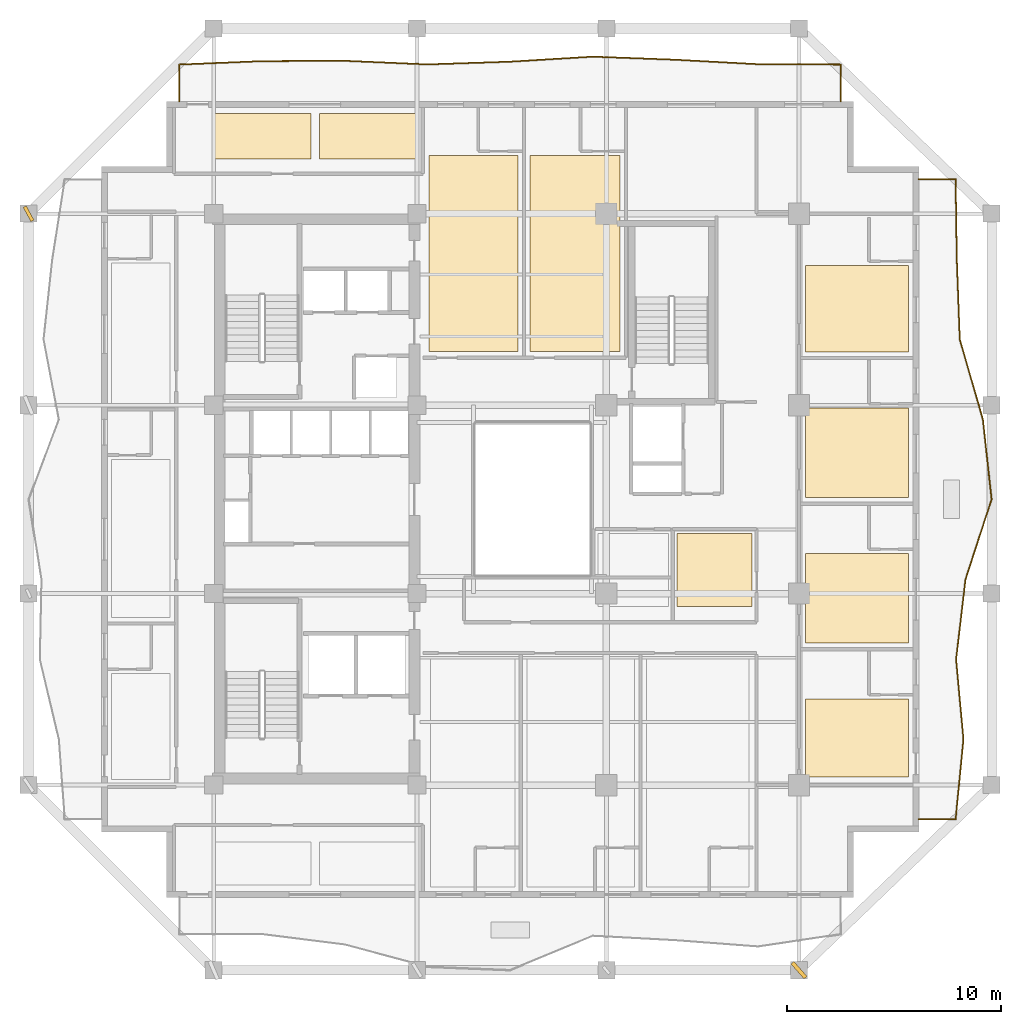
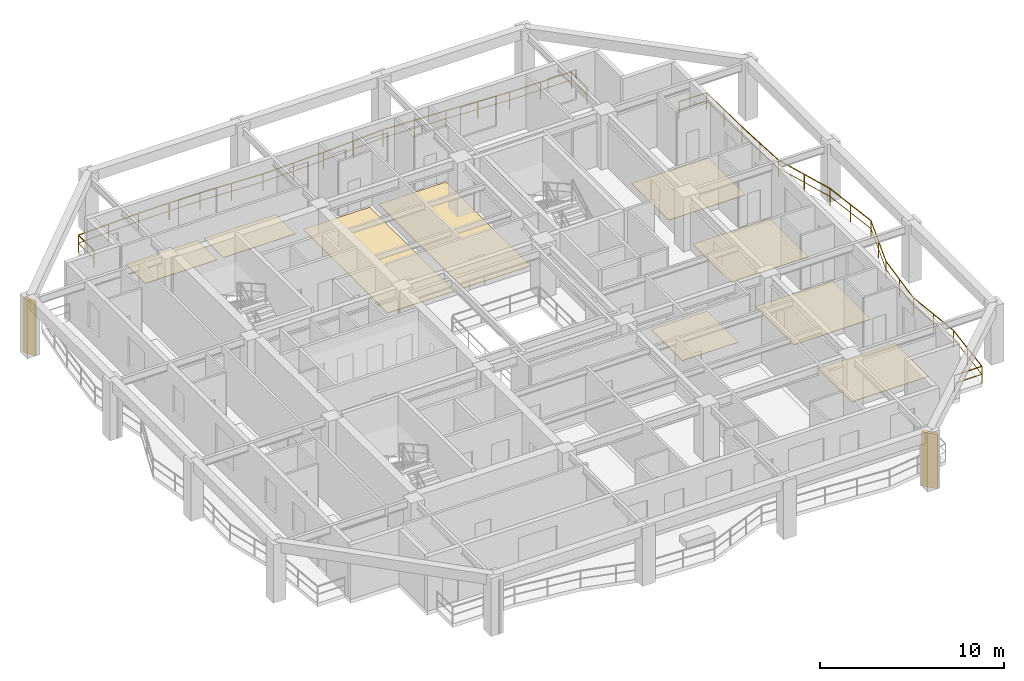
# One storey, part 10 of 11: 9 coverings, 2 railings, 2 shading devices.
"""IFC4 building model written with IfcOpenShell, lengths in metres."""

from ifc_helpers import new_model, si_unit, direction, frame, origin, origin_2d, place, context, subcontext, project, spatial, polyline, rectangle, outline, extrude, material, layer, layer_set, type_object, element, save


model = new_model("IFC4")

# Units and contexts
model_context = context("Model", 3, precision=1e-05, world=origin(), true_north=direction((0.0, 1.0)))
body_context = subcontext(model_context, "Body", "Model", "MODEL_VIEW")
ifc_project = project(units=[si_unit("LENGTHUNIT", "METRE"), si_unit("AREAUNIT", "SQUARE_METRE"), si_unit("VOLUMEUNIT", "CUBIC_METRE"), si_unit("PLANEANGLEUNIT", "RADIAN"), si_unit("MASSUNIT", "GRAM", prefix="KILO")], contexts=[model_context])

# Site, building, storey
site_placement = place(None, origin())
site = spatial("IfcSite", under=ifc_project, at=site_placement, CompositionType="ELEMENT")
building_placement = place(site_placement, origin())
building = spatial("IfcBuilding", under=site, at=building_placement, Name="Kundavana Baori Tower", CompositionType="ELEMENT")
storey_placement = place(building_placement, frame((0.0, 0.0, 127.10009765625)))
storey = spatial("IfcBuildingStorey", under=building, at=storey_placement, Name="L30", CompositionType="ELEMENT", Elevation=127.10009765625)

# Coverings
ifc_material_1 = material(Name="Honed Kota Stone and Terrazzo Flooring", Category="masonry")
ifc_layer = layer(ifc_material_1, 0.030029296875, Name="COV-INT-FLR")
ifc_layer_set = layer_set([ifc_layer], Name="Honed Kota Stone and Terrazzo Flooring")
covering_type = type_object("IfcCoveringType", Name="COV-INT-FLR", PredefinedType="FLOORING", material=ifc_layer_set)
covering_1_placement = place(storey_placement, origin())
element("IfcCovering", 1, at=covering_1_placement, inside=storey, type_object=covering_type, Name="L30 Room Finished Stone Flooring 7", PredefinedType="FLOORING", context=body_context, shape_type="SweptSolid", body=[
    extrude(outline(polyline([(43.10009765625, 15.6298828125), (47.919921875, 15.6298828125), (47.919921875, 19.27001953125), (43.10009765625, 19.27001953125), (43.10009765625, 15.6298828125)])), origin(), (0.0, 0.0, 1.0), 0.02978515625),
])
covering_2_placement = place(storey_placement, origin())
element("IfcCovering", 2, at=covering_2_placement, inside=storey, type_object=covering_type, Name="L30 Room Finished Stone Flooring 8", PredefinedType="FLOORING", context=body_context, shape_type="SweptSolid", body=[
    extrude(outline(polyline([(43.10009765625, 21.8798828125), (47.919921875, 21.8798828125), (47.919921875, 26.070068359375), (43.10009765625, 26.070068359375), (43.10009765625, 21.8798828125)])), origin(), (0.0, 0.0, 1.0), 0.02978515625),
])
covering_3_placement = place(storey_placement, origin())
element("IfcCovering", 3, at=covering_3_placement, inside=storey, type_object=covering_type, Name="L30 Room Finished Stone Flooring 9", PredefinedType="FLOORING", context=body_context, shape_type="SweptSolid", body=[
    extrude(outline(polyline([(43.10009765625, 28.679931640625), (47.919921875, 28.679931640625), (47.919921875, 32.8701171875), (43.10009765625, 32.8701171875), (43.10009765625, 28.679931640625)])), origin(), (0.0, 0.0, 1.0), 0.02978515625),
])
covering_4_placement = place(storey_placement, origin())
element("IfcCovering", 4, at=covering_4_placement, inside=storey, type_object=covering_type, Name="L30 Room Finished Stone Flooring 10", PredefinedType="FLOORING", context=body_context, shape_type="SweptSolid", body=[
    extrude(outline(polyline([(43.10009765625, 35.47998046875), (47.919921875, 35.47998046875), (47.919921875, 39.52001953125), (43.10009765625, 39.52001953125), (43.10009765625, 35.47998046875)])), origin(), (0.0, 0.0, 1.0), 0.02978515625),
])
covering_5_placement = place(storey_placement, origin())
element("IfcCovering", 5, at=covering_5_placement, inside=storey, type_object=covering_type, Name="L30 Room Finished Stone Flooring 11", PredefinedType="FLOORING", context=body_context, shape_type="SweptSolid", body=[
    extrude(outline(polyline([(25.5, 35.5), (29.669921875, 35.5), (29.669921875, 44.669921875), (25.5, 44.669921875), (25.5, 35.5)])), origin(), (0.0, 0.0, 1.0), 0.02978515625),
])
covering_6_placement = place(storey_placement, origin())
element("IfcCovering", 6, at=covering_6_placement, inside=storey, type_object=covering_type, Name="L30 Room Finished Stone Flooring 12", PredefinedType="FLOORING", context=body_context, shape_type="SweptSolid", body=[
    extrude(outline(polyline([(30.22998046875, 35.5), (34.43994140625, 35.5), (34.43994140625, 44.669921875), (30.22998046875, 44.669921875), (30.22998046875, 35.5)])), origin(), (0.0, 0.0, 1.0), 0.02978515625),
])
covering_7_placement = place(storey_placement, origin())
element("IfcCovering", 7, at=covering_7_placement, inside=storey, type_object=covering_type, Name="L30 Room Finished Stone Flooring 15", PredefinedType="FLOORING", context=body_context, shape_type="SweptSolid", body=[
    extrude(outline(polyline([(15.5, 44.5), (20.0, 44.5), (20.0, 46.6201171875), (15.5, 46.6201171875), (15.5, 44.5)])), origin(), (0.0, 0.0, 1.0), 0.02978515625),
])
covering_8_placement = place(storey_placement, origin())
element("IfcCovering", 8, at=covering_8_placement, inside=storey, type_object=covering_type, Name="L30 Room Finished Stone Flooring 16", PredefinedType="FLOORING", context=body_context, shape_type="SweptSolid", body=[
    extrude(outline(polyline([(20.39990234375, 44.5), (24.89990234375, 44.5), (24.89990234375, 46.6201171875), (20.39990234375, 46.6201171875), (20.39990234375, 44.5)])), origin(), (0.0, 0.0, 1.0), 0.02978515625),
])
covering_9_placement = place(storey_placement, origin())
element("IfcCovering", 9, at=covering_9_placement, inside=storey, type_object=covering_type, Name="L30 Room Finished Stone Flooring 18", PredefinedType="FLOORING", context=body_context, shape_type="SweptSolid", body=[
    extrude(outline(polyline([(37.10009765625, 23.60009765625), (40.60009765625, 23.60009765625), (40.60009765625, 27.0), (37.10009765625, 27.0), (37.10009765625, 23.60009765625)])), origin(), (0.0, 0.0, 1.0), 0.02978515625),
])

# Railings
ifc_material_2 = material(Name="Architectural Patinated Bronze Metalwork")
railing_type = type_object("IfcRailingType", Name="RL-BAL-1150", PredefinedType="BALUSTRADE", material=ifc_material_2)
railing_1_placement = place(storey_placement, frame((48.39990234375, 43.550048828125, 0.0)))
element("IfcRailing", 10, at=railing_1_placement, inside=storey, type_object=railing_type, Name="L30 Loggia Balcony Balustrade E", PredefinedType="BALUSTRADE", context=body_context, shape_type="SweptSolid", body=[
    extrude(rectangle(XDim=0.048095703125, YDim=0.048095703125, at=origin_2d()), frame((0.0, 0.0, 1.1259765625), z_axis=(1.0, 0.0, 0.0), x_axis=(0.0, 1.0, 0.0)), (0.0, 0.0, 1.0), 1.72021484375),
    extrude(rectangle(XDim=0.03125, YDim=0.03125, at=origin_2d()), frame((0.0, 0.0, 0.597900390625), z_axis=(1.0, 0.0, 0.0), x_axis=(0.0, 1.0, 0.0)), (0.0, 0.0, 1.0), 1.72021484375),
    extrude(rectangle(XDim=0.048095703125, YDim=0.048095703125, at=origin_2d()), frame((1.72021484375, 0.0, 1.1259765625), z_axis=(0.014954894571, -0.999888169311, 0.0), x_axis=(0.999888169311, 0.014954894571, 0.0)), (0.0, 0.0, 1.0), 3.738525390625),
    extrude(rectangle(XDim=0.03125, YDim=0.03125, at=origin_2d()), frame((1.72021484375, 0.0, 0.597900390625), z_axis=(0.014954894571, -0.999888169311, 0.0), x_axis=(0.999888169311, 0.014954894571, 0.0)), (0.0, 0.0, 1.0), 3.738525390625),
    extrude(rectangle(XDim=0.048095703125, YDim=0.048095703125, at=origin_2d()), frame((1.776123046875, -3.738037109375, 1.1259765625), z_axis=(0.03714687957, -0.999309816492, 0.0), x_axis=(0.999309816492, 0.03714687957, 0.0)), (0.0, 0.0, 1.0), 3.73974609375),
    extrude(rectangle(XDim=0.03125, YDim=0.03125, at=origin_2d()), frame((1.776123046875, -3.738037109375, 0.597900390625), z_axis=(0.03714687957, -0.999309816492, 0.0), x_axis=(0.999309816492, 0.03714687957, 0.0)), (0.0, 0.0, 1.0), 3.73974609375),
    extrude(rectangle(XDim=0.048095703125, YDim=0.048095703125, at=origin_2d()), frame((1.9150390625, -7.47509765625, 1.1259765625), z_axis=(0.277123885402, -0.960834195967, 0.0), x_axis=(0.960834195967, 0.277123885402, 0.0)), (0.0, 0.0, 1.0), 3.890380859375),
    extrude(rectangle(XDim=0.03125, YDim=0.03125, at=origin_2d()), frame((1.9150390625, -7.47509765625, 0.597900390625), z_axis=(0.277123885402, -0.960834195967, 0.0), x_axis=(0.960834195967, 0.277123885402, 0.0)), (0.0, 0.0, 1.0), 3.890380859375),
    extrude(rectangle(XDim=0.048095703125, YDim=0.048095703125, at=origin_2d()), frame((2.9931640625, -11.213134765625, 1.1259765625), z_axis=(0.108271288951, -0.994121384937, 0.0), x_axis=(0.994121384937, 0.108271288951, 0.0)), (0.0, 0.0, 1.0), 3.759033203125),
    extrude(rectangle(XDim=0.03125, YDim=0.03125, at=origin_2d()), frame((2.9931640625, -11.213134765625, 0.597900390625), z_axis=(0.108271288951, -0.994121384937, 0.0), x_axis=(0.994121384937, 0.108271288951, 0.0)), (0.0, 0.0, 1.0), 3.759033203125),
    extrude(rectangle(XDim=0.048095703125, YDim=0.048095703125, at=origin_2d()), frame((3.400146484375, -14.949951171875, 1.1259765625), z_axis=(-0.309811933343, -0.950797857569, 0.0), x_axis=(0.950797857569, -0.309811933343, 0.0)), (0.0, 0.0, 1.0), 3.931396484375),
    extrude(rectangle(XDim=0.03125, YDim=0.03125, at=origin_2d()), frame((3.400146484375, -14.949951171875, 0.597900390625), z_axis=(-0.309811933343, -0.950797857569, 0.0), x_axis=(0.950797857569, -0.309811933343, 0.0)), (0.0, 0.0, 1.0), 3.931396484375),
    extrude(rectangle(XDim=0.048095703125, YDim=0.048095703125, at=origin_2d()), frame((2.18212890625, -18.68798828125, 1.1259765625), z_axis=(-0.116660546173, -0.993171846644, 0.0), x_axis=(0.993171846644, -0.116660546173, 0.0)), (0.0, 0.0, 1.0), 3.7626953125),
    extrude(rectangle(XDim=0.03125, YDim=0.03125, at=origin_2d()), frame((2.18212890625, -18.68798828125, 0.597900390625), z_axis=(-0.116660546173, -0.993171846644, 0.0), x_axis=(0.993171846644, -0.116660546173, 0.0)), (0.0, 0.0, 1.0), 3.7626953125),
    extrude(rectangle(XDim=0.048095703125, YDim=0.048095703125, at=origin_2d()), frame((1.7431640625, -22.425048828125, 1.1259765625), z_axis=(0.091380157634, -0.995816080805, 0.0), x_axis=(0.995816080805, 0.091380157634, 0.0)), (0.0, 0.0, 1.0), 3.753662109375),
    extrude(rectangle(XDim=0.03125, YDim=0.03125, at=origin_2d()), frame((1.7431640625, -22.425048828125, 0.597900390625), z_axis=(0.091380157634, -0.995816080805, 0.0), x_axis=(0.995816080805, 0.091380157634, 0.0)), (0.0, 0.0, 1.0), 3.753662109375),
    extrude(rectangle(XDim=0.048095703125, YDim=0.048095703125, at=origin_2d()), frame((2.086181640625, -26.1630859375, 1.1259765625), z_axis=(-0.097462828087, -0.995239165799, 0.0), x_axis=(0.995239165799, -0.097462828087, 0.0)), (0.0, 0.0, 1.0), 3.7548828125),
    extrude(rectangle(XDim=0.03125, YDim=0.03125, at=origin_2d()), frame((2.086181640625, -26.1630859375, 0.597900390625), z_axis=(-0.097462828087, -0.995239165799, 0.0), x_axis=(0.995239165799, -0.097462828087, 0.0)), (0.0, 0.0, 1.0), 3.7548828125),
    extrude(rectangle(XDim=0.048095703125, YDim=0.048095703125, at=origin_2d()), frame((1.72021484375, -29.900146484375, 1.1259765625), z_axis=(-1.0, 0.0, 0.0), x_axis=(0.0, -1.0, 0.0)), (0.0, 0.0, 1.0), 1.72021484375),
    extrude(rectangle(XDim=0.03125, YDim=0.03125, at=origin_2d()), frame((1.72021484375, -29.900146484375, 0.597900390625), z_axis=(-1.0, 0.0, 0.0), x_axis=(0.0, -1.0, 0.0)), (0.0, 0.0, 1.0), 1.72021484375),
    extrude(rectangle(XDim=0.0419921875, YDim=0.0419921875, at=origin_2d()), origin(), (0.0, 0.0, 1.0), 1.101806640625),
    extrude(rectangle(XDim=0.0419921875, YDim=0.0419921875, at=origin_2d()), frame((1.72021484375, 0.0, 0.0)), (0.0, 0.0, 1.0), 1.101806640625),
    extrude(rectangle(XDim=0.0419921875, YDim=0.0419921875, at=origin_2d()), frame((1.748046875, -1.869140625, 0.0)), (0.0, 0.0, 1.0), 1.101806640625),
    extrude(rectangle(XDim=0.0419921875, YDim=0.0419921875, at=origin_2d()), frame((1.776123046875, -3.738037109375, 0.0)), (0.0, 0.0, 1.0), 1.101806640625),
    extrude(rectangle(XDim=0.0419921875, YDim=0.0419921875, at=origin_2d()), frame((1.845703125, -5.6064453125, 0.0)), (0.0, 0.0, 1.0), 1.101806640625),
    extrude(rectangle(XDim=0.0419921875, YDim=0.0419921875, at=origin_2d()), frame((1.9150390625, -7.47509765625, 0.0)), (0.0, 0.0, 1.0), 1.101806640625),
    extrude(rectangle(XDim=0.0419921875, YDim=0.0419921875, at=origin_2d()), frame((2.4541015625, -9.34423828125, 0.0)), (0.0, 0.0, 1.0), 1.101806640625),
    extrude(rectangle(XDim=0.0419921875, YDim=0.0419921875, at=origin_2d()), frame((2.9931640625, -11.213134765625, 0.0)), (0.0, 0.0, 1.0), 1.101806640625),
    extrude(rectangle(XDim=0.0419921875, YDim=0.0419921875, at=origin_2d()), frame((3.19677734375, -13.08154296875, 0.0)), (0.0, 0.0, 1.0), 1.101806640625),
    extrude(rectangle(XDim=0.0419921875, YDim=0.0419921875, at=origin_2d()), frame((3.400146484375, -14.949951171875, 0.0)), (0.0, 0.0, 1.0), 1.101806640625),
    extrude(rectangle(XDim=0.0419921875, YDim=0.0419921875, at=origin_2d()), frame((2.791015625, -16.81884765625, 0.0)), (0.0, 0.0, 1.0), 1.101806640625),
    extrude(rectangle(XDim=0.0419921875, YDim=0.0419921875, at=origin_2d()), frame((2.18212890625, -18.68798828125, 0.0)), (0.0, 0.0, 1.0), 1.101806640625),
    extrude(rectangle(XDim=0.0419921875, YDim=0.0419921875, at=origin_2d()), frame((1.962646484375, -20.556640625, 0.0)), (0.0, 0.0, 1.0), 1.101806640625),
    extrude(rectangle(XDim=0.0419921875, YDim=0.0419921875, at=origin_2d()), frame((1.7431640625, -22.425048828125, 0.0)), (0.0, 0.0, 1.0), 1.101806640625),
    extrude(rectangle(XDim=0.0419921875, YDim=0.0419921875, at=origin_2d()), frame((1.91455078125, -24.2939453125, 0.0)), (0.0, 0.0, 1.0), 1.101806640625),
    extrude(rectangle(XDim=0.0419921875, YDim=0.0419921875, at=origin_2d()), frame((2.086181640625, -26.1630859375, 0.0)), (0.0, 0.0, 1.0), 1.101806640625),
    extrude(rectangle(XDim=0.0419921875, YDim=0.0419921875, at=origin_2d()), frame((1.9033203125, -28.03173828125, 0.0)), (0.0, 0.0, 1.0), 1.101806640625),
    extrude(rectangle(XDim=0.0419921875, YDim=0.0419921875, at=origin_2d()), frame((1.72021484375, -29.900146484375, 0.0)), (0.0, 0.0, 1.0), 1.101806640625),
    extrude(rectangle(XDim=0.0419921875, YDim=0.0419921875, at=origin_2d()), frame((0.0, -29.900146484375, 0.0)), (0.0, 0.0, 1.0), 1.101806640625),
])
railing_2_placement = place(storey_placement, frame((13.85009765625, 47.199951171875, 0.0)))
element("IfcRailing", 11, at=railing_2_placement, inside=storey, type_object=railing_type, Name="L30 Loggia Balcony Balustrade N", PredefinedType="BALUSTRADE", context=body_context, shape_type="SweptSolid", body=[
    extrude(rectangle(XDim=0.048095703125, YDim=0.048095703125, at=origin_2d()), frame((0.0, 0.0, 1.1259765625), z_axis=(0.0, 1.0, 0.0), x_axis=(-1.0, 0.0, 0.0)), (0.0, 0.0, 1.0), 1.719970703125),
    extrude(rectangle(XDim=0.03125, YDim=0.03125, at=origin_2d()), frame((0.0, 0.0, 0.597900390625), z_axis=(0.0, 1.0, 0.0), x_axis=(-1.0, 0.0, 0.0)), (0.0, 0.0, 1.0), 1.719970703125),
    extrude(rectangle(XDim=0.048095703125, YDim=0.048095703125, at=origin_2d()), frame((0.0, 1.719970703125, 1.1259765625), z_axis=(0.999141155037, 0.041436123259, 0.0), x_axis=(-0.041436123259, 0.999141155037, 0.0)), (0.0, 0.0, 1.0), 3.865234375),
    extrude(rectangle(XDim=0.03125, YDim=0.03125, at=origin_2d()), frame((0.0, 1.719970703125, 0.597900390625), z_axis=(0.999141155037, 0.041436123259, 0.0), x_axis=(-0.041436123259, 0.999141155037, 0.0)), (0.0, 0.0, 1.0), 3.865234375),
    extrude(rectangle(XDim=0.048095703125, YDim=0.048095703125, at=origin_2d()), frame((3.86181640625, 1.880126953125, 1.1259765625), z_axis=(0.999992569001, 0.003855118922, 0.0), x_axis=(-0.003855118922, 0.999992569001, 0.0)), (0.0, 0.0, 1.0), 3.863037109375),
    extrude(rectangle(XDim=0.03125, YDim=0.03125, at=origin_2d()), frame((3.86181640625, 1.880126953125, 0.597900390625), z_axis=(0.999992569001, 0.003855118922, 0.0), x_axis=(-0.003855118922, 0.999992569001, 0.0)), (0.0, 0.0, 1.0), 3.863037109375),
    extrude(rectangle(XDim=0.048095703125, YDim=0.048095703125, at=origin_2d()), frame((7.724853515625, 1.89501953125, 1.1259765625), z_axis=(0.99905603922, -0.043439964291, 0.0), x_axis=(0.043439964291, 0.99905603922, 0.0)), (0.0, 0.0, 1.0), 3.86669921875),
    extrude(rectangle(XDim=0.03125, YDim=0.03125, at=origin_2d()), frame((7.724853515625, 1.89501953125, 0.597900390625), z_axis=(0.99905603922, -0.043439964291, 0.0), x_axis=(0.043439964291, 0.99905603922, 0.0)), (0.0, 0.0, 1.0), 3.86669921875),
    extrude(rectangle(XDim=0.048095703125, YDim=0.048095703125, at=origin_2d()), frame((11.587890625, 1.72705078125, 1.1259765625), z_axis=(0.999451827418, 0.033106565369, 0.0), x_axis=(-0.033106565369, 0.999451827418, 0.0)), (0.0, 0.0, 1.0), 3.8642578125),
    extrude(rectangle(XDim=0.03125, YDim=0.03125, at=origin_2d()), frame((11.587890625, 1.72705078125, 0.597900390625), z_axis=(0.999451827418, 0.033106565369, 0.0), x_axis=(-0.033106565369, 0.999451827418, 0.0)), (0.0, 0.0, 1.0), 3.8642578125),
    extrude(rectangle(XDim=0.048095703125, YDim=0.048095703125, at=origin_2d()), frame((15.449951171875, 1.85498046875, 1.1259765625), z_axis=(0.99818358722, 0.060245549251, 0.0), x_axis=(-0.060245549251, 0.99818358722, 0.0)), (0.0, 0.0, 1.0), 3.8701171875),
    extrude(rectangle(XDim=0.03125, YDim=0.03125, at=origin_2d()), frame((15.449951171875, 1.85498046875, 0.597900390625), z_axis=(0.99818358722, 0.060245549251, 0.0), x_axis=(-0.060245549251, 0.99818358722, 0.0)), (0.0, 0.0, 1.0), 3.8701171875),
    extrude(rectangle(XDim=0.048095703125, YDim=0.048095703125, at=origin_2d()), frame((19.31298828125, 2.088134765625, 1.1259765625), z_axis=(0.999323804688, -0.036768646752, 0.0), x_axis=(0.036768646752, 0.999323804688, 0.0)), (0.0, 0.0, 1.0), 3.864501953125),
    extrude(rectangle(XDim=0.03125, YDim=0.03125, at=origin_2d()), frame((19.31298828125, 2.088134765625, 0.597900390625), z_axis=(0.999323804688, -0.036768646752, 0.0), x_axis=(0.036768646752, 0.999323804688, 0.0)), (0.0, 0.0, 1.0), 3.864501953125),
    extrude(rectangle(XDim=0.048095703125, YDim=0.048095703125, at=origin_2d()), frame((23.1748046875, 1.946044921875, 1.1259765625), z_axis=(0.998525490853, -0.054284842413, 0.0), x_axis=(0.054284842413, 0.998525490853, 0.0)), (0.0, 0.0, 1.0), 3.86767578125),
    extrude(rectangle(XDim=0.03125, YDim=0.03125, at=origin_2d()), frame((23.1748046875, 1.946044921875, 0.597900390625), z_axis=(0.998525490853, -0.054284842413, 0.0), x_axis=(0.054284842413, 0.998525490853, 0.0)), (0.0, 0.0, 1.0), 3.86767578125),
    extrude(rectangle(XDim=0.048095703125, YDim=0.048095703125, at=origin_2d()), frame((27.036865234375, 1.736083984375, 1.1259765625), z_axis=(0.999991300895, -0.004171106987, 0.0), x_axis=(0.004171106987, 0.999991300895, 0.0)), (0.0, 0.0, 1.0), 3.863037109375),
    extrude(rectangle(XDim=0.03125, YDim=0.03125, at=origin_2d()), frame((27.036865234375, 1.736083984375, 0.597900390625), z_axis=(0.999991300895, -0.004171106987, 0.0), x_axis=(0.004171106987, 0.999991300895, 0.0)), (0.0, 0.0, 1.0), 3.863037109375),
    extrude(rectangle(XDim=0.048095703125, YDim=0.048095703125, at=origin_2d()), frame((30.89990234375, 1.719970703125, 1.1259765625), z_axis=(0.0, -1.0, 0.0), x_axis=(1.0, 0.0, 0.0)), (0.0, 0.0, 1.0), 1.719970703125),
    extrude(rectangle(XDim=0.03125, YDim=0.03125, at=origin_2d()), frame((30.89990234375, 1.719970703125, 0.597900390625), z_axis=(0.0, -1.0, 0.0), x_axis=(1.0, 0.0, 0.0)), (0.0, 0.0, 1.0), 1.719970703125),
    extrude(rectangle(XDim=0.0419921875, YDim=0.0419921875, at=origin_2d()), origin(), (0.0, 0.0, 1.0), 1.101806640625),
    extrude(rectangle(XDim=0.0419921875, YDim=0.0419921875, at=origin_2d()), frame((0.0, 1.719970703125, 0.0)), (0.0, 0.0, 1.0), 1.101806640625),
    extrude(rectangle(XDim=0.0419921875, YDim=0.0419921875, at=origin_2d()), frame((1.930908203125, 1.800048828125, 0.0)), (0.0, 0.0, 1.0), 1.101806640625),
    extrude(rectangle(XDim=0.0419921875, YDim=0.0419921875, at=origin_2d()), frame((3.86181640625, 1.880126953125, 0.0)), (0.0, 0.0, 1.0), 1.101806640625),
    extrude(rectangle(XDim=0.0419921875, YDim=0.0419921875, at=origin_2d()), frame((5.79345703125, 1.8876953125, 0.0)), (0.0, 0.0, 1.0), 1.101806640625),
    extrude(rectangle(XDim=0.0419921875, YDim=0.0419921875, at=origin_2d()), frame((7.724853515625, 1.89501953125, 0.0)), (0.0, 0.0, 1.0), 1.101806640625),
    extrude(rectangle(XDim=0.0419921875, YDim=0.0419921875, at=origin_2d()), frame((9.65625, 1.81103515625, 0.0)), (0.0, 0.0, 1.0), 1.101806640625),
    extrude(rectangle(XDim=0.0419921875, YDim=0.0419921875, at=origin_2d()), frame((11.587890625, 1.72705078125, 0.0)), (0.0, 0.0, 1.0), 1.101806640625),
    extrude(rectangle(XDim=0.0419921875, YDim=0.0419921875, at=origin_2d()), frame((13.51904296875, 1.791015625, 0.0)), (0.0, 0.0, 1.0), 1.101806640625),
    extrude(rectangle(XDim=0.0419921875, YDim=0.0419921875, at=origin_2d()), frame((15.449951171875, 1.85498046875, 0.0)), (0.0, 0.0, 1.0), 1.101806640625),
    extrude(rectangle(XDim=0.0419921875, YDim=0.0419921875, at=origin_2d()), frame((17.38134765625, 1.9716796875, 0.0)), (0.0, 0.0, 1.0), 1.101806640625),
    extrude(rectangle(XDim=0.0419921875, YDim=0.0419921875, at=origin_2d()), frame((19.31298828125, 2.088134765625, 0.0)), (0.0, 0.0, 1.0), 1.101806640625),
    extrude(rectangle(XDim=0.0419921875, YDim=0.0419921875, at=origin_2d()), frame((21.243896484375, 2.01708984375, 0.0)), (0.0, 0.0, 1.0), 1.101806640625),
    extrude(rectangle(XDim=0.0419921875, YDim=0.0419921875, at=origin_2d()), frame((23.1748046875, 1.946044921875, 0.0)), (0.0, 0.0, 1.0), 1.101806640625),
    extrude(rectangle(XDim=0.0419921875, YDim=0.0419921875, at=origin_2d()), frame((25.10595703125, 1.841064453125, 0.0)), (0.0, 0.0, 1.0), 1.101806640625),
    extrude(rectangle(XDim=0.0419921875, YDim=0.0419921875, at=origin_2d()), frame((27.036865234375, 1.736083984375, 0.0)), (0.0, 0.0, 1.0), 1.101806640625),
    extrude(rectangle(XDim=0.0419921875, YDim=0.0419921875, at=origin_2d()), frame((28.96826171875, 1.72802734375, 0.0)), (0.0, 0.0, 1.0), 1.101806640625),
    extrude(rectangle(XDim=0.0419921875, YDim=0.0419921875, at=origin_2d()), frame((30.89990234375, 1.719970703125, 0.0)), (0.0, 0.0, 1.0), 1.101806640625),
    extrude(rectangle(XDim=0.0419921875, YDim=0.0419921875, at=origin_2d()), frame((30.89990234375, 0.0, 0.0)), (0.0, 0.0, 1.0), 1.101806640625),
])

# Shading devices
ifc_material_3 = material(Name="Red-Buff Dholpur Sandstone Cladding on Concrete C40/50", Category="masonry")
shading_device_type_1 = type_object("IfcShadingDeviceType", Name="SHD-FIN-750", PredefinedType="JALOUSIE", material=ifc_material_3)
shading_device_1_placement = place(storey_placement, frame((6.800048828125, 41.949951171875, -0.000244140625), z_axis=(0.0, 0.0, 1.0), x_axis=(0.878150016915, 0.478385354909, 0.0)))
element("IfcShadingDevice", 12, at=shading_device_1_placement, inside=storey, type_object=shading_device_type_1, Name="L30 Sweeping Dholpur Sandstone Facade Fin 8", PredefinedType="JALOUSIE", context=body_context, shape_type="SweptSolid", body=[
    extrude(rectangle(XDim=0.159912109375, YDim=0.75, at=origin_2d()), origin(), (0.0, 0.0, 1.0), 3.60009765625),
])
ifc_material_4 = material(Name="Red-Buff Dholpur Sandstone Cladding on Concrete C40/50", Category="masonry")
shading_device_type_2 = type_object("IfcShadingDeviceType", Name="SHD-FIN-920", PredefinedType="JALOUSIE", material=ifc_material_4)
shading_device_2_placement = place(storey_placement, frame((42.800048828125, 6.60009765625, -0.000244140625), z_axis=(0.0, 0.0, 1.0), x_axis=(0.750687887408, 0.660657018202, 0.0)))
element("IfcShadingDevice", 13, at=shading_device_2_placement, inside=storey, type_object=shading_device_type_2, Name="L30 Sweeping Dholpur Sandstone Facade Fin 4", PredefinedType="JALOUSIE", context=body_context, shape_type="SweptSolid", body=[
    extrude(rectangle(XDim=0.179931640625, YDim=0.919921875, at=origin_2d()), origin(), (0.0, 0.0, 1.0), 3.60009765625),
])

save(model, "model.ifc")
